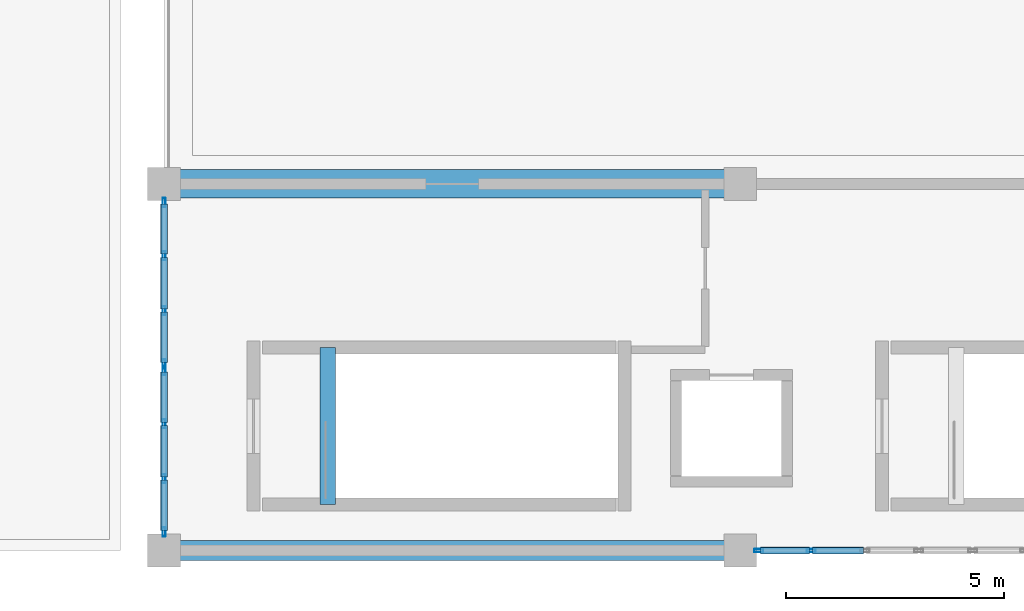
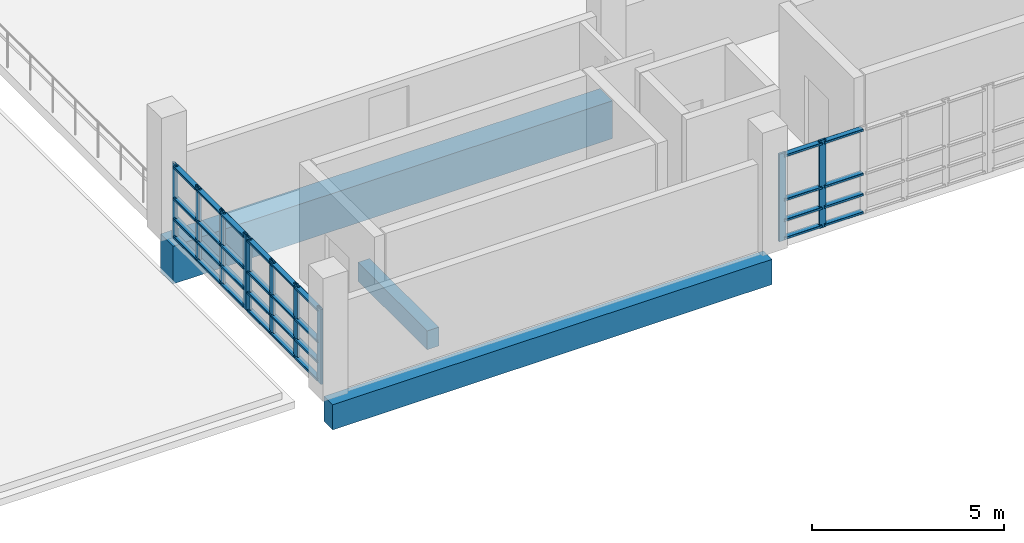
# One storey, part 117 of 188: 42 members, 3 beams, 3 elements without a shape of their own.
"""IFC4 building model written with IfcOpenShell, lengths in metres."""

import ifcopenshell
import ifcopenshell.guid

model = None  # the IFC model being written
_history = None  # IfcOwnerHistory: only IFC2X3 demands one
_inside = {}  # id of a spatial element -> (the spatial element, [elements in it])
_under = {}  # id of a project, library or spatial element -> (it, [spatial elements below it])
_declared = {}  # id of a project -> (the project, [libraries it declares])
_typed = {}  # id of a type object -> (the type object, [elements of that type])
_made_of = {}  # id of a material, layer set ... -> (it, [elements and type objects made of it])


def new_model(schema):
    """Start an empty IFC model of exactly this schema.

    Asked for "IFC4X3", IfcOpenShell would pick the latest addendum, in which some entities
    have other attributes; the version numbers below select the first issue.
    IFC2X3 requires an IfcOwnerHistory on every rooted entity: one is made here for all.
    """
    global model, _history
    if schema == "IFC4X3":
        model = ifcopenshell.file(schema_version=(4, 3, 0, 0))
    else:
        model = ifcopenshell.file(schema=schema)
    _inside.clear()
    _under.clear()
    _declared.clear()
    _typed.clear()
    _made_of.clear()
    _history = None
    if model.schema == "IFC2X3":
        org = make("IfcOrganization", Name="unknown")
        user = make(
            "IfcPersonAndOrganization",
            ThePerson=make("IfcPerson", FamilyName="unknown"),
            TheOrganization=org,
        )
        app = make(
            "IfcApplication",
            ApplicationDeveloper=org,
            Version="unknown",
            ApplicationFullName="unknown",
            ApplicationIdentifier="unknown",
        )
        _history = make(
            "IfcOwnerHistory",
            OwningUser=user,
            OwningApplication=app,
            ChangeAction="ADDED",
            CreationDate=0,
        )
    return model


def make(cls, **values):
    """One entity of the class cls with the attributes given. An attribute that is None is left unset."""
    return model.create_entity(
        cls, **{name: value for name, value in values.items() if value is not None}
    )


def rooted(cls, **values):
    """An entity with a GlobalId (a new one), such as an element, a storey or a relation."""
    return make(cls, GlobalId=ifcopenshell.guid.new(), OwnerHistory=_history, **values)


def si_unit(unit_type, name, prefix=None):
    """IfcSIUnit, for example si_unit("LENGTHUNIT", "METRE", prefix="MILLI")."""
    return make("IfcSIUnit", UnitType=unit_type, Prefix=prefix, Name=name)


def assignment(units):
    """IfcUnitAssignment: the units of a project."""
    return None if units is None else make("IfcUnitAssignment", Units=units)


def point(xyz):
    """IfcCartesianPoint."""
    return None if xyz is None else make("IfcCartesianPoint", Coordinates=xyz)


def direction(xyz):
    """IfcDirection."""
    return None if xyz is None else make("IfcDirection", DirectionRatios=xyz)


def frame(location, z_axis=None, x_axis=None):
    """IfcAxis2Placement3D, a coordinate frame: its origin and axes. An axis left out is left unset."""
    return make(
        "IfcAxis2Placement3D",
        Location=point(location),
        Axis=direction(z_axis),
        RefDirection=direction(x_axis),
    )


def frame_2d(location, x_axis=None):
    """IfcAxis2Placement2D, a coordinate frame in the plane: its origin and x axis."""
    return make(
        "IfcAxis2Placement2D", Location=point(location), RefDirection=direction(x_axis)
    )


def origin():
    """The frame at (0, 0, 0) with its axes left unset."""
    return frame((0.0, 0.0, 0.0))


def origin_2d():
    """The frame at (0, 0) in the plane with its x axis left unset."""
    return frame_2d((0.0, 0.0))


def place(relative_to, where):
    """IfcLocalPlacement: puts the frame where relative to a parent placement (None: the world)."""
    return make(
        "IfcLocalPlacement", PlacementRelTo=relative_to, RelativePlacement=where
    )


def context(
    kind, dimensions, precision=None, world=None, true_north=None, identifier=None
):
    """IfcGeometricRepresentationContext, for example the 3D "Model" context."""
    return make(
        "IfcGeometricRepresentationContext",
        ContextIdentifier=identifier,
        ContextType=kind,
        CoordinateSpaceDimension=dimensions,
        Precision=precision,
        WorldCoordinateSystem=world,
        TrueNorth=true_north,
    )


def subcontext(parent, identifier, kind, view, scale=None):
    """IfcGeometricRepresentationSubContext, for example "Body" below "Model"."""
    return make(
        "IfcGeometricRepresentationSubContext",
        ContextIdentifier=identifier,
        ContextType=kind,
        ParentContext=parent,
        TargetScale=scale,
        TargetView=view,
    )


def project(units=None, contexts=None):
    """IfcProject with its units and contexts."""
    return rooted(
        "IfcProject",
        Name="project",
        RepresentationContexts=contexts,
        UnitsInContext=assignment(units),
    )


def spatial(cls, under=None, at=None, **own):
    """A site, building, storey or space (cls), placed at a placement, below another one or the project."""
    s = rooted(cls, ObjectPlacement=at, **own)
    if under is not None:
        _under.setdefault(under.id(), (under, []))[1].append(s)
    return s


def profile(cls, at=None, kind="AREA", **sizes):
    """A parametric profile (cls). Its sizes go by their IFC names, for example OverallWidth=200.0."""
    return make(cls, ProfileType=kind, Position=at, **sizes)


def rectangle(**sizes):
    """IfcRectangleProfileDef."""
    return profile("IfcRectangleProfileDef", **sizes)


def hollow_rectangle(**sizes):
    """IfcRectangleHollowProfileDef."""
    return profile("IfcRectangleHollowProfileDef", **sizes)


def extrude(swept, where, along, depth):
    """IfcExtrudedAreaSolid: the profile swept, set in the frame where, extruded along a direction by depth."""
    return make(
        "IfcExtrudedAreaSolid",
        SweptArea=swept,
        Position=where,
        ExtrudedDirection=direction(along),
        Depth=depth,
    )


def shape(context_of_items, identifier, shape_type, items):
    """IfcShapeRepresentation: the items that make up one representation, for example the "Body"."""
    return make(
        "IfcShapeRepresentation",
        ContextOfItems=context_of_items,
        RepresentationIdentifier=identifier,
        RepresentationType=shape_type,
        Items=items,
    )


def material(Name=None, Category=None):
    """IfcMaterial."""
    return make("IfcMaterial", Name=Name, Category=Category)


def layer(
    of_material, thickness, ventilated=None, Name=None, Category=None, Priority=None
):
    """IfcMaterialLayer: one layer of a wall or slab, of a material (None: an air gap)."""
    return make(
        "IfcMaterialLayer",
        Material=of_material,
        LayerThickness=thickness,
        IsVentilated=ventilated,
        Name=Name,
        Category=Category,
        Priority=Priority,
    )


def layer_set(layers, Name=None):
    """IfcMaterialLayerSet."""
    return make("IfcMaterialLayerSet", MaterialLayers=layers, LayerSetName=Name)


def material_profile(
    of_material, cross_section, Name=None, Category=None, Priority=None
):
    """IfcMaterialProfile: a cross section and its material."""
    return make(
        "IfcMaterialProfile",
        Name=Name,
        Material=of_material,
        Profile=cross_section,
        Priority=Priority,
        Category=Category,
    )


def profile_set(profiles, Name=None, composite=None):
    """IfcMaterialProfileSet."""
    return make(
        "IfcMaterialProfileSet",
        Name=Name,
        MaterialProfiles=profiles,
        CompositeProfile=composite,
    )


def made_of(thing, what):
    """Note that an element or type object is made of a material, layer set ...; save() writes the relation."""
    if what is not None:
        _made_of.setdefault(what.id(), (what, []))[1].append(thing)
    return thing


def type_object(cls, material=None, **own):
    """A type object (cls), such as IfcWallType, which elements share."""
    return made_of(rooted(cls, **own), material)


def element(
    cls,
    number,
    at=None,
    inside=None,
    cuts=None,
    type_object=None,
    material=None,
    context=None,
    identifier="Body",
    shape_type=None,
    held_by="IfcProductDefinitionShape",
    body=None,
    shapes=None,
    **own,
):
    """One element of the class cls, such as IfcWall. Its Tag is "e" and its number.

    at: its placement. inside: the storey or other place that contains it. cuts: it is an
    opening in that element (IfcRelVoidsElement). A single representation is given by context,
    identifier, shape_type and body (its items); several are given by shapes. held_by: the class
    of the entity that holds the representations. save() writes the other relations.
    """
    e = rooted(cls, Tag="e%d" % number, ObjectPlacement=at, **own)
    if body is not None:
        shapes = [shape(context, identifier, shape_type, body)]
    if shapes is not None:
        e.Representation = make(held_by, Representations=shapes)
    if inside is not None:
        _inside.setdefault(inside.id(), (inside, []))[1].append(e)
    if cuts is not None:
        rooted(
            "IfcRelVoidsElement", RelatingBuildingElement=cuts, RelatedOpeningElement=e
        )
    if type_object is not None:
        _typed.setdefault(type_object.id(), (type_object, []))[1].append(e)
    return made_of(e, material)


def aggregate(whole, parts):
    """IfcRelAggregates: a whole, such as a stair, and the parts it consists of."""
    return rooted("IfcRelAggregates", RelatingObject=whole, RelatedObjects=parts)


def save(model, path):
    """Write the relations noted so far, then the file.

    IfcRelAggregates (storeys below a building ...), IfcRelContainedInSpatialStructure (elements
    in a storey), IfcRelDefinesByType, IfcRelAssociatesMaterial and IfcRelDeclares: one each for
    every whole, place, type object, material and project.
    """
    for whole, parts in _under.values():
        aggregate(whole, parts)
    for where, things in _inside.values():
        rooted(
            "IfcRelContainedInSpatialStructure",
            RelatedElements=things,
            RelatingStructure=where,
        )
    for kind, things in _typed.values():
        rooted("IfcRelDefinesByType", RelatedObjects=things, RelatingType=kind)
    for what, things in _made_of.values():
        rooted("IfcRelAssociatesMaterial", RelatedObjects=things, RelatingMaterial=what)
    for by, libraries in _declared.values():
        rooted("IfcRelDeclares", RelatingContext=by, RelatedDefinitions=libraries)
    model.write(path)


model = new_model("IFC4")

# Units and contexts
model_context = context("Model", 3, precision=1e-05, world=origin(), true_north=direction((0.0, 1.0)))
body_context = subcontext(model_context, "Body", "Model", "MODEL_VIEW")
ifc_project = project(units=[si_unit("LENGTHUNIT", "METRE"), si_unit("AREAUNIT", "SQUARE_METRE"), si_unit("VOLUMEUNIT", "CUBIC_METRE"), si_unit("PLANEANGLEUNIT", "RADIAN"), si_unit("MASSUNIT", "GRAM", prefix="KILO")], contexts=[model_context])

# Site, building, storey
site_placement = place(None, origin())
site = spatial("IfcSite", under=ifc_project, at=site_placement, CompositionType="ELEMENT")
building_placement = place(site_placement, origin())
building = spatial("IfcBuilding", under=site, at=building_placement, Name="Kisaragi Civic Commons", CompositionType="ELEMENT")
storey_placement = place(building_placement, frame((0.0, 0.0, 9.60009765625)))
storey = spatial("IfcBuildingStorey", under=building, at=storey_placement, Name="L02", CompositionType="ELEMENT", Elevation=9.60009765625)

# Curtain wall, members
ifc_material_1 = material(Name="Thermally broken anodized aluminium and low-E double glazing", Category="aluminium")
ifc_layer = layer(ifc_material_1, 0.2099609375, Name="Thermally broken anodized aluminium and low-E double glazing", Category="aluminium")
ifc_layer_set = layer_set([ifc_layer], Name="Thermally broken anodized aluminium and low-E double glazing")
curtain_wall_type = type_object("IfcCurtainWallType", Name="CW-02", PredefinedType="NOTDEFINED", material=ifc_layer_set)
curtain_wall_1_placement = place(storey_placement, origin())
curtain_wall_1 = element("IfcCurtainWall", 1, at=curtain_wall_1_placement, inside=storey, type_object=curtain_wall_type, Name="L02 curtain wall CW-02 CW-V3-L02-042", PredefinedType="NOTDEFINED")
ifc_material_profile_1 = material_profile(ifc_material_1, hollow_rectangle(XDim=0.070068359375, YDim=0.2099609375, WallThickness=0.0048828125, InnerFilletRadius=0.0048828125, OuterFilletRadius=0.010009765625, at=origin_2d()), Name="CWM-70x210x5", Category="aluminium")
ifc_profile_set_1 = profile_set([ifc_material_profile_1], Name="Thermally broken anodized aluminium and low-E double glazing")
member_type_1 = type_object("IfcMemberType", Name="CWM-03", PredefinedType="MULLION", material=ifc_profile_set_1)
member_1_placement = place(storey_placement, frame((161.22412109375, 0.0, 0.0), z_axis=(0.0, 0.0, 1.0), x_axis=(0.0, -1.0, 0.0)))
member_1 = element("IfcMember", 2, at=member_1_placement, type_object=member_type_1, Name="CW-02 mullion 5", PredefinedType="MULLION", context=body_context, shape_type="SweptSolid", body=[
    extrude(hollow_rectangle(XDim=0.070068359375, YDim=0.2099609375, WallThickness=0.0048828125, InnerFilletRadius=0.0048828125, OuterFilletRadius=0.010009765625, at=origin_2d()), origin(), (0.0, 0.0, 1.0), 2.77978515625),
])
member_2_placement = place(storey_placement, frame((160.02490234375, 0.0, 0.0), z_axis=(0.0, 0.0, 1.0), x_axis=(0.0, -1.0, 0.0)))
member_2 = element("IfcMember", 3, at=member_2_placement, type_object=member_type_1, Name="CW-02 mullion 6", PredefinedType="MULLION", context=body_context, shape_type="SweptSolid", body=[
    extrude(hollow_rectangle(XDim=0.070068359375, YDim=0.2099609375, WallThickness=0.0048828125, InnerFilletRadius=0.0048828125, OuterFilletRadius=0.010009765625, at=origin_2d()), origin(), (0.0, 0.0, 1.0), 2.77978515625),
])

curtain_wall_2_placement = place(storey_placement, origin())
curtain_wall_2 = element("IfcCurtainWall", 4, at=curtain_wall_2_placement, inside=storey, type_object=curtain_wall_type, Name="L02 curtain wall CW-02 CW-V3-L02-043", PredefinedType="NOTDEFINED")
member_3_placement = place(storey_placement, frame((146.39990234375, 0.425048828125, 0.0), z_axis=(0.0, 0.0, 1.0), x_axis=(-1.0, 0.0, 0.0)))
member_3 = element("IfcMember", 5, at=member_3_placement, type_object=member_type_1, Name="CW-02 mullion 1", PredefinedType="MULLION", context=body_context, shape_type="SweptSolid", body=[
    extrude(hollow_rectangle(XDim=0.070068359375, YDim=0.2099609375, WallThickness=0.0048828125, InnerFilletRadius=0.0048828125, OuterFilletRadius=0.010009765625, at=origin_2d()), origin(), (0.0, 0.0, 1.0), 2.3798828125),
])
member_4_placement = place(storey_placement, frame((146.39990234375, 1.646728515625, 0.0), z_axis=(0.0, 0.0, 1.0), x_axis=(-1.0, 0.0, 0.0)))
member_4 = element("IfcMember", 6, at=member_4_placement, type_object=member_type_1, Name="CW-02 mullion 2", PredefinedType="MULLION", context=body_context, shape_type="SweptSolid", body=[
    extrude(hollow_rectangle(XDim=0.070068359375, YDim=0.2099609375, WallThickness=0.0048828125, InnerFilletRadius=0.0048828125, OuterFilletRadius=0.010009765625, at=origin_2d()), origin(), (0.0, 0.0, 1.0), 2.3798828125),
])
member_5_placement = place(storey_placement, frame((146.39990234375, 2.9033203125, 0.0), z_axis=(0.0, 0.0, 1.0), x_axis=(-1.0, 0.0, 0.0)))
member_5 = element("IfcMember", 7, at=member_5_placement, type_object=member_type_1, Name="CW-02 mullion 3", PredefinedType="MULLION", context=body_context, shape_type="SweptSolid", body=[
    extrude(hollow_rectangle(XDim=0.070068359375, YDim=0.2099609375, WallThickness=0.0048828125, InnerFilletRadius=0.0048828125, OuterFilletRadius=0.010009765625, at=origin_2d()), origin(), (0.0, 0.0, 1.0), 2.3798828125),
])
member_6_placement = place(storey_placement, frame((146.39990234375, 4.125, 0.0), z_axis=(0.0, 0.0, 1.0), x_axis=(-1.0, 0.0, 0.0)))
member_6 = element("IfcMember", 8, at=member_6_placement, type_object=member_type_1, Name="CW-02 mullion 4", PredefinedType="MULLION", context=body_context, shape_type="SweptSolid", body=[
    extrude(hollow_rectangle(XDim=0.070068359375, YDim=0.2099609375, WallThickness=0.0048828125, InnerFilletRadius=0.0048828125, OuterFilletRadius=0.010009765625, at=origin_2d()), origin(), (0.0, 0.0, 1.0), 2.3798828125),
])

curtain_wall_3_placement = place(storey_placement, origin())
curtain_wall_3 = element("IfcCurtainWall", 9, at=curtain_wall_3_placement, inside=storey, type_object=curtain_wall_type, Name="L02 curtain wall CW-02 CW-V3-L02-044", PredefinedType="NOTDEFINED")
member_7_placement = place(storey_placement, frame((146.39990234375, 4.27490234375, 0.0), z_axis=(0.0, 0.0, 1.0), x_axis=(-1.0, 0.0, 0.0)))
member_7 = element("IfcMember", 10, at=member_7_placement, type_object=member_type_1, Name="CW-02 mullion 1", PredefinedType="MULLION", context=body_context, shape_type="SweptSolid", body=[
    extrude(hollow_rectangle(XDim=0.070068359375, YDim=0.2099609375, WallThickness=0.0048828125, InnerFilletRadius=0.0048828125, OuterFilletRadius=0.010009765625, at=origin_2d()), origin(), (0.0, 0.0, 1.0), 2.3798828125),
])
member_8_placement = place(storey_placement, frame((146.39990234375, 5.49658203125, 0.0), z_axis=(0.0, 0.0, 1.0), x_axis=(-1.0, 0.0, 0.0)))
member_8 = element("IfcMember", 11, at=member_8_placement, type_object=member_type_1, Name="CW-02 mullion 2", PredefinedType="MULLION", context=body_context, shape_type="SweptSolid", body=[
    extrude(hollow_rectangle(XDim=0.070068359375, YDim=0.2099609375, WallThickness=0.0048828125, InnerFilletRadius=0.0048828125, OuterFilletRadius=0.010009765625, at=origin_2d()), origin(), (0.0, 0.0, 1.0), 2.3798828125),
])
member_9_placement = place(storey_placement, frame((146.39990234375, 6.75341796875, 0.0), z_axis=(0.0, 0.0, 1.0), x_axis=(-1.0, 0.0, 0.0)))
member_9 = element("IfcMember", 12, at=member_9_placement, type_object=member_type_1, Name="CW-02 mullion 3", PredefinedType="MULLION", context=body_context, shape_type="SweptSolid", body=[
    extrude(hollow_rectangle(XDim=0.070068359375, YDim=0.2099609375, WallThickness=0.0048828125, InnerFilletRadius=0.0048828125, OuterFilletRadius=0.010009765625, at=origin_2d()), origin(), (0.0, 0.0, 1.0), 2.3798828125),
])
member_10_placement = place(storey_placement, frame((146.39990234375, 7.97509765625, 0.0), z_axis=(0.0, 0.0, 1.0), x_axis=(-1.0, 0.0, 0.0)))
member_10 = element("IfcMember", 13, at=member_10_placement, type_object=member_type_1, Name="CW-02 mullion 4", PredefinedType="MULLION", context=body_context, shape_type="SweptSolid", body=[
    extrude(hollow_rectangle(XDim=0.070068359375, YDim=0.2099609375, WallThickness=0.0048828125, InnerFilletRadius=0.0048828125, OuterFilletRadius=0.010009765625, at=origin_2d()), origin(), (0.0, 0.0, 1.0), 2.3798828125),
])

# Member
ifc_material_profile_2 = material_profile(ifc_material_1, hollow_rectangle(XDim=0.159912109375, YDim=0.070068359375, WallThickness=0.0048828125, InnerFilletRadius=0.0048828125, OuterFilletRadius=0.010009765625, at=origin_2d()), Name="CWT-70x160x5", Category="aluminium")
ifc_profile_set_2 = profile_set([ifc_material_profile_2], Name="Thermally broken anodized aluminium and low-E double glazing")
member_type_2 = type_object("IfcMemberType", Name="CWT-03", PredefinedType="USERDEFINED", material=ifc_profile_set_2)
member_11_placement = place(storey_placement, frame((162.423095703125, 0.0, 0.079833984375), z_axis=(-1.0, 0.0, 0.0), x_axis=(0.0, -1.0, 0.0)))
member_11 = element("IfcMember", 14, at=member_11_placement, type_object=member_type_2, Name="CW-02 transom 4.1", ObjectType="TRANSOM", PredefinedType="USERDEFINED", context=body_context, shape_type="SweptSolid", body=[
    extrude(hollow_rectangle(XDim=0.159912109375, YDim=0.070068359375, WallThickness=0.0048828125, InnerFilletRadius=0.0048828125, OuterFilletRadius=0.010009765625, at=origin_2d()), origin(), (0.0, 0.0, 1.0), 1.1640625),
])

member_12_placement = place(storey_placement, frame((162.423095703125, 0.0, 0.64990234375), z_axis=(-1.0, 0.0, 0.0), x_axis=(0.0, -1.0, 0.0)))
member_12 = element("IfcMember", 15, at=member_12_placement, type_object=member_type_2, Name="CW-02 transom 4.2", ObjectType="TRANSOM", PredefinedType="USERDEFINED", context=body_context, shape_type="SweptSolid", body=[
    extrude(hollow_rectangle(XDim=0.159912109375, YDim=0.070068359375, WallThickness=0.0048828125, InnerFilletRadius=0.0048828125, OuterFilletRadius=0.010009765625, at=origin_2d()), origin(), (0.0, 0.0, 1.0), 1.1640625),
])

member_13_placement = place(storey_placement, frame((162.423095703125, 0.0, 1.2998046875), z_axis=(-1.0, 0.0, 0.0), x_axis=(0.0, -1.0, 0.0)))
member_13 = element("IfcMember", 16, at=member_13_placement, type_object=member_type_2, Name="CW-02 transom 4.3", ObjectType="TRANSOM", PredefinedType="USERDEFINED", context=body_context, shape_type="SweptSolid", body=[
    extrude(hollow_rectangle(XDim=0.159912109375, YDim=0.070068359375, WallThickness=0.0048828125, InnerFilletRadius=0.0048828125, OuterFilletRadius=0.010009765625, at=origin_2d()), origin(), (0.0, 0.0, 1.0), 1.1640625),
])

member_14_placement = place(storey_placement, frame((162.423095703125, 0.0, 2.699951171875), z_axis=(-1.0, 0.0, 0.0), x_axis=(0.0, -1.0, 0.0)))
member_14 = element("IfcMember", 17, at=member_14_placement, type_object=member_type_2, Name="CW-02 transom 4.4", ObjectType="TRANSOM", PredefinedType="USERDEFINED", context=body_context, shape_type="SweptSolid", body=[
    extrude(hollow_rectangle(XDim=0.159912109375, YDim=0.070068359375, WallThickness=0.0048828125, InnerFilletRadius=0.0048828125, OuterFilletRadius=0.010009765625, at=origin_2d()), origin(), (0.0, 0.0, 1.0), 1.1640625),
])

member_15_placement = place(storey_placement, frame((161.18896484375, 0.0, 0.079833984375), z_axis=(-1.0, 0.0, 0.0), x_axis=(0.0, -1.0, 0.0)))
member_15 = element("IfcMember", 18, at=member_15_placement, type_object=member_type_2, Name="CW-02 transom 5.1", ObjectType="TRANSOM", PredefinedType="USERDEFINED", context=body_context, shape_type="SweptSolid", body=[
    extrude(hollow_rectangle(XDim=0.159912109375, YDim=0.070068359375, WallThickness=0.0048828125, InnerFilletRadius=0.0048828125, OuterFilletRadius=0.010009765625, at=origin_2d()), origin(), (0.0, 0.0, 1.0), 1.12890625),
])

member_16_placement = place(storey_placement, frame((161.18896484375, 0.0, 0.64990234375), z_axis=(-1.0, 0.0, 0.0), x_axis=(0.0, -1.0, 0.0)))
member_16 = element("IfcMember", 19, at=member_16_placement, type_object=member_type_2, Name="CW-02 transom 5.2", ObjectType="TRANSOM", PredefinedType="USERDEFINED", context=body_context, shape_type="SweptSolid", body=[
    extrude(hollow_rectangle(XDim=0.159912109375, YDim=0.070068359375, WallThickness=0.0048828125, InnerFilletRadius=0.0048828125, OuterFilletRadius=0.010009765625, at=origin_2d()), origin(), (0.0, 0.0, 1.0), 1.12890625),
])

member_17_placement = place(storey_placement, frame((161.18896484375, 0.0, 1.2998046875), z_axis=(-1.0, 0.0, 0.0), x_axis=(0.0, -1.0, 0.0)))
member_17 = element("IfcMember", 20, at=member_17_placement, type_object=member_type_2, Name="CW-02 transom 5.3", ObjectType="TRANSOM", PredefinedType="USERDEFINED", context=body_context, shape_type="SweptSolid", body=[
    extrude(hollow_rectangle(XDim=0.159912109375, YDim=0.070068359375, WallThickness=0.0048828125, InnerFilletRadius=0.0048828125, OuterFilletRadius=0.010009765625, at=origin_2d()), origin(), (0.0, 0.0, 1.0), 1.12890625),
])

member_18_placement = place(storey_placement, frame((161.18896484375, 0.0, 2.699951171875), z_axis=(-1.0, 0.0, 0.0), x_axis=(0.0, -1.0, 0.0)))
member_18 = element("IfcMember", 21, at=member_18_placement, type_object=member_type_2, Name="CW-02 transom 5.4", ObjectType="TRANSOM", PredefinedType="USERDEFINED", context=body_context, shape_type="SweptSolid", body=[
    extrude(hollow_rectangle(XDim=0.159912109375, YDim=0.070068359375, WallThickness=0.0048828125, InnerFilletRadius=0.0048828125, OuterFilletRadius=0.010009765625, at=origin_2d()), origin(), (0.0, 0.0, 1.0), 1.12890625),
])

aggregate(curtain_wall_1, [member_1, member_2, member_11, member_12, member_13, member_14, member_15, member_16, member_17, member_18])

member_19_placement = place(storey_placement, frame((146.39990234375, 0.4599609375, 0.079833984375), z_axis=(0.0, 1.0, 0.0), x_axis=(-1.0, 0.0, 0.0)))
member_19 = element("IfcMember", 22, at=member_19_placement, type_object=member_type_2, Name="CW-02 transom 1.1", ObjectType="TRANSOM", PredefinedType="USERDEFINED", context=body_context, shape_type="SweptSolid", body=[
    extrude(hollow_rectangle(XDim=0.159912109375, YDim=0.070068359375, WallThickness=0.0048828125, InnerFilletRadius=0.0048828125, OuterFilletRadius=0.010009765625, at=origin_2d()), origin(), (0.0, 0.0, 1.0), 1.151611328125),
])

member_20_placement = place(storey_placement, frame((146.39990234375, 0.4599609375, 0.64990234375), z_axis=(0.0, 1.0, 0.0), x_axis=(-1.0, 0.0, 0.0)))
member_20 = element("IfcMember", 23, at=member_20_placement, type_object=member_type_2, Name="CW-02 transom 1.2", ObjectType="TRANSOM", PredefinedType="USERDEFINED", context=body_context, shape_type="SweptSolid", body=[
    extrude(hollow_rectangle(XDim=0.159912109375, YDim=0.070068359375, WallThickness=0.0048828125, InnerFilletRadius=0.0048828125, OuterFilletRadius=0.010009765625, at=origin_2d()), origin(), (0.0, 0.0, 1.0), 1.151611328125),
])

member_21_placement = place(storey_placement, frame((146.39990234375, 0.4599609375, 1.2998046875), z_axis=(0.0, 1.0, 0.0), x_axis=(-1.0, 0.0, 0.0)))
member_21 = element("IfcMember", 24, at=member_21_placement, type_object=member_type_2, Name="CW-02 transom 1.3", ObjectType="TRANSOM", PredefinedType="USERDEFINED", context=body_context, shape_type="SweptSolid", body=[
    extrude(hollow_rectangle(XDim=0.159912109375, YDim=0.070068359375, WallThickness=0.0048828125, InnerFilletRadius=0.0048828125, OuterFilletRadius=0.010009765625, at=origin_2d()), origin(), (0.0, 0.0, 1.0), 1.151611328125),
])

member_22_placement = place(storey_placement, frame((146.39990234375, 0.4599609375, 2.2998046875), z_axis=(0.0, 1.0, 0.0), x_axis=(-1.0, 0.0, 0.0)))
member_22 = element("IfcMember", 25, at=member_22_placement, type_object=member_type_2, Name="CW-02 transom 1.4", ObjectType="TRANSOM", PredefinedType="USERDEFINED", context=body_context, shape_type="SweptSolid", body=[
    extrude(hollow_rectangle(XDim=0.159912109375, YDim=0.070068359375, WallThickness=0.0048828125, InnerFilletRadius=0.0048828125, OuterFilletRadius=0.010009765625, at=origin_2d()), origin(), (0.0, 0.0, 1.0), 1.151611328125),
])

member_23_placement = place(storey_placement, frame((146.39990234375, 1.681640625, 0.079833984375), z_axis=(0.0, 1.0, 0.0), x_axis=(-1.0, 0.0, 0.0)))
member_23 = element("IfcMember", 26, at=member_23_placement, type_object=member_type_2, Name="CW-02 transom 2.1", ObjectType="TRANSOM", PredefinedType="USERDEFINED", context=body_context, shape_type="SweptSolid", body=[
    extrude(hollow_rectangle(XDim=0.159912109375, YDim=0.070068359375, WallThickness=0.0048828125, InnerFilletRadius=0.0048828125, OuterFilletRadius=0.010009765625, at=origin_2d()), origin(), (0.0, 0.0, 1.0), 1.186767578125),
])

member_24_placement = place(storey_placement, frame((146.39990234375, 1.681640625, 0.64990234375), z_axis=(0.0, 1.0, 0.0), x_axis=(-1.0, 0.0, 0.0)))
member_24 = element("IfcMember", 27, at=member_24_placement, type_object=member_type_2, Name="CW-02 transom 2.2", ObjectType="TRANSOM", PredefinedType="USERDEFINED", context=body_context, shape_type="SweptSolid", body=[
    extrude(hollow_rectangle(XDim=0.159912109375, YDim=0.070068359375, WallThickness=0.0048828125, InnerFilletRadius=0.0048828125, OuterFilletRadius=0.010009765625, at=origin_2d()), origin(), (0.0, 0.0, 1.0), 1.186767578125),
])

member_25_placement = place(storey_placement, frame((146.39990234375, 1.681640625, 1.2998046875), z_axis=(0.0, 1.0, 0.0), x_axis=(-1.0, 0.0, 0.0)))
member_25 = element("IfcMember", 28, at=member_25_placement, type_object=member_type_2, Name="CW-02 transom 2.3", ObjectType="TRANSOM", PredefinedType="USERDEFINED", context=body_context, shape_type="SweptSolid", body=[
    extrude(hollow_rectangle(XDim=0.159912109375, YDim=0.070068359375, WallThickness=0.0048828125, InnerFilletRadius=0.0048828125, OuterFilletRadius=0.010009765625, at=origin_2d()), origin(), (0.0, 0.0, 1.0), 1.186767578125),
])

member_26_placement = place(storey_placement, frame((146.39990234375, 1.681640625, 2.2998046875), z_axis=(0.0, 1.0, 0.0), x_axis=(-1.0, 0.0, 0.0)))
member_26 = element("IfcMember", 29, at=member_26_placement, type_object=member_type_2, Name="CW-02 transom 2.4", ObjectType="TRANSOM", PredefinedType="USERDEFINED", context=body_context, shape_type="SweptSolid", body=[
    extrude(hollow_rectangle(XDim=0.159912109375, YDim=0.070068359375, WallThickness=0.0048828125, InnerFilletRadius=0.0048828125, OuterFilletRadius=0.010009765625, at=origin_2d()), origin(), (0.0, 0.0, 1.0), 1.186767578125),
])

member_27_placement = place(storey_placement, frame((146.39990234375, 2.938232421875, 0.079833984375), z_axis=(0.0, 1.0, 0.0), x_axis=(-1.0, 0.0, 0.0)))
member_27 = element("IfcMember", 30, at=member_27_placement, type_object=member_type_2, Name="CW-02 transom 3.1", ObjectType="TRANSOM", PredefinedType="USERDEFINED", context=body_context, shape_type="SweptSolid", body=[
    extrude(hollow_rectangle(XDim=0.159912109375, YDim=0.070068359375, WallThickness=0.0048828125, InnerFilletRadius=0.0048828125, OuterFilletRadius=0.010009765625, at=origin_2d()), origin(), (0.0, 0.0, 1.0), 1.15185546875),
])

member_28_placement = place(storey_placement, frame((146.39990234375, 2.938232421875, 0.64990234375), z_axis=(0.0, 1.0, 0.0), x_axis=(-1.0, 0.0, 0.0)))
member_28 = element("IfcMember", 31, at=member_28_placement, type_object=member_type_2, Name="CW-02 transom 3.2", ObjectType="TRANSOM", PredefinedType="USERDEFINED", context=body_context, shape_type="SweptSolid", body=[
    extrude(hollow_rectangle(XDim=0.159912109375, YDim=0.070068359375, WallThickness=0.0048828125, InnerFilletRadius=0.0048828125, OuterFilletRadius=0.010009765625, at=origin_2d()), origin(), (0.0, 0.0, 1.0), 1.15185546875),
])

member_29_placement = place(storey_placement, frame((146.39990234375, 2.938232421875, 1.2998046875), z_axis=(0.0, 1.0, 0.0), x_axis=(-1.0, 0.0, 0.0)))
member_29 = element("IfcMember", 32, at=member_29_placement, type_object=member_type_2, Name="CW-02 transom 3.3", ObjectType="TRANSOM", PredefinedType="USERDEFINED", context=body_context, shape_type="SweptSolid", body=[
    extrude(hollow_rectangle(XDim=0.159912109375, YDim=0.070068359375, WallThickness=0.0048828125, InnerFilletRadius=0.0048828125, OuterFilletRadius=0.010009765625, at=origin_2d()), origin(), (0.0, 0.0, 1.0), 1.15185546875),
])

member_30_placement = place(storey_placement, frame((146.39990234375, 2.938232421875, 2.2998046875), z_axis=(0.0, 1.0, 0.0), x_axis=(-1.0, 0.0, 0.0)))
member_30 = element("IfcMember", 33, at=member_30_placement, type_object=member_type_2, Name="CW-02 transom 3.4", ObjectType="TRANSOM", PredefinedType="USERDEFINED", context=body_context, shape_type="SweptSolid", body=[
    extrude(hollow_rectangle(XDim=0.159912109375, YDim=0.070068359375, WallThickness=0.0048828125, InnerFilletRadius=0.0048828125, OuterFilletRadius=0.010009765625, at=origin_2d()), origin(), (0.0, 0.0, 1.0), 1.15185546875),
])

aggregate(curtain_wall_2, [member_3, member_4, member_5, member_6, member_19, member_20, member_21, member_22, member_23, member_24, member_25, member_26, member_27, member_28, member_29, member_30])

member_31_placement = place(storey_placement, frame((146.39990234375, 4.31005859375, 0.079833984375), z_axis=(0.0, 1.0, 0.0), x_axis=(-1.0, 0.0, 0.0)))
member_31 = element("IfcMember", 34, at=member_31_placement, type_object=member_type_2, Name="CW-02 transom 1.1", ObjectType="TRANSOM", PredefinedType="USERDEFINED", context=body_context, shape_type="SweptSolid", body=[
    extrude(hollow_rectangle(XDim=0.159912109375, YDim=0.070068359375, WallThickness=0.0048828125, InnerFilletRadius=0.0048828125, OuterFilletRadius=0.010009765625, at=origin_2d()), origin(), (0.0, 0.0, 1.0), 1.151611328125),
])

member_32_placement = place(storey_placement, frame((146.39990234375, 4.31005859375, 0.64990234375), z_axis=(0.0, 1.0, 0.0), x_axis=(-1.0, 0.0, 0.0)))
member_32 = element("IfcMember", 35, at=member_32_placement, type_object=member_type_2, Name="CW-02 transom 1.2", ObjectType="TRANSOM", PredefinedType="USERDEFINED", context=body_context, shape_type="SweptSolid", body=[
    extrude(hollow_rectangle(XDim=0.159912109375, YDim=0.070068359375, WallThickness=0.0048828125, InnerFilletRadius=0.0048828125, OuterFilletRadius=0.010009765625, at=origin_2d()), origin(), (0.0, 0.0, 1.0), 1.151611328125),
])

member_33_placement = place(storey_placement, frame((146.39990234375, 4.31005859375, 1.2998046875), z_axis=(0.0, 1.0, 0.0), x_axis=(-1.0, 0.0, 0.0)))
member_33 = element("IfcMember", 36, at=member_33_placement, type_object=member_type_2, Name="CW-02 transom 1.3", ObjectType="TRANSOM", PredefinedType="USERDEFINED", context=body_context, shape_type="SweptSolid", body=[
    extrude(hollow_rectangle(XDim=0.159912109375, YDim=0.070068359375, WallThickness=0.0048828125, InnerFilletRadius=0.0048828125, OuterFilletRadius=0.010009765625, at=origin_2d()), origin(), (0.0, 0.0, 1.0), 1.151611328125),
])

member_34_placement = place(storey_placement, frame((146.39990234375, 4.31005859375, 2.2998046875), z_axis=(0.0, 1.0, 0.0), x_axis=(-1.0, 0.0, 0.0)))
member_34 = element("IfcMember", 37, at=member_34_placement, type_object=member_type_2, Name="CW-02 transom 1.4", ObjectType="TRANSOM", PredefinedType="USERDEFINED", context=body_context, shape_type="SweptSolid", body=[
    extrude(hollow_rectangle(XDim=0.159912109375, YDim=0.070068359375, WallThickness=0.0048828125, InnerFilletRadius=0.0048828125, OuterFilletRadius=0.010009765625, at=origin_2d()), origin(), (0.0, 0.0, 1.0), 1.151611328125),
])

member_35_placement = place(storey_placement, frame((146.39990234375, 5.53173828125, 0.079833984375), z_axis=(0.0, 1.0, 0.0), x_axis=(-1.0, 0.0, 0.0)))
member_35 = element("IfcMember", 38, at=member_35_placement, type_object=member_type_2, Name="CW-02 transom 2.1", ObjectType="TRANSOM", PredefinedType="USERDEFINED", context=body_context, shape_type="SweptSolid", body=[
    extrude(hollow_rectangle(XDim=0.159912109375, YDim=0.070068359375, WallThickness=0.0048828125, InnerFilletRadius=0.0048828125, OuterFilletRadius=0.010009765625, at=origin_2d()), origin(), (0.0, 0.0, 1.0), 1.1865234375),
])

member_36_placement = place(storey_placement, frame((146.39990234375, 5.53173828125, 0.64990234375), z_axis=(0.0, 1.0, 0.0), x_axis=(-1.0, 0.0, 0.0)))
member_36 = element("IfcMember", 39, at=member_36_placement, type_object=member_type_2, Name="CW-02 transom 2.2", ObjectType="TRANSOM", PredefinedType="USERDEFINED", context=body_context, shape_type="SweptSolid", body=[
    extrude(hollow_rectangle(XDim=0.159912109375, YDim=0.070068359375, WallThickness=0.0048828125, InnerFilletRadius=0.0048828125, OuterFilletRadius=0.010009765625, at=origin_2d()), origin(), (0.0, 0.0, 1.0), 1.1865234375),
])

member_37_placement = place(storey_placement, frame((146.39990234375, 5.53173828125, 1.2998046875), z_axis=(0.0, 1.0, 0.0), x_axis=(-1.0, 0.0, 0.0)))
member_37 = element("IfcMember", 40, at=member_37_placement, type_object=member_type_2, Name="CW-02 transom 2.3", ObjectType="TRANSOM", PredefinedType="USERDEFINED", context=body_context, shape_type="SweptSolid", body=[
    extrude(hollow_rectangle(XDim=0.159912109375, YDim=0.070068359375, WallThickness=0.0048828125, InnerFilletRadius=0.0048828125, OuterFilletRadius=0.010009765625, at=origin_2d()), origin(), (0.0, 0.0, 1.0), 1.1865234375),
])

member_38_placement = place(storey_placement, frame((146.39990234375, 5.53173828125, 2.2998046875), z_axis=(0.0, 1.0, 0.0), x_axis=(-1.0, 0.0, 0.0)))
member_38 = element("IfcMember", 41, at=member_38_placement, type_object=member_type_2, Name="CW-02 transom 2.4", ObjectType="TRANSOM", PredefinedType="USERDEFINED", context=body_context, shape_type="SweptSolid", body=[
    extrude(hollow_rectangle(XDim=0.159912109375, YDim=0.070068359375, WallThickness=0.0048828125, InnerFilletRadius=0.0048828125, OuterFilletRadius=0.010009765625, at=origin_2d()), origin(), (0.0, 0.0, 1.0), 1.1865234375),
])

member_39_placement = place(storey_placement, frame((146.39990234375, 6.788330078125, 0.079833984375), z_axis=(0.0, 1.0, 0.0), x_axis=(-1.0, 0.0, 0.0)))
member_39 = element("IfcMember", 42, at=member_39_placement, type_object=member_type_2, Name="CW-02 transom 3.1", ObjectType="TRANSOM", PredefinedType="USERDEFINED", context=body_context, shape_type="SweptSolid", body=[
    extrude(hollow_rectangle(XDim=0.159912109375, YDim=0.070068359375, WallThickness=0.0048828125, InnerFilletRadius=0.0048828125, OuterFilletRadius=0.010009765625, at=origin_2d()), origin(), (0.0, 0.0, 1.0), 1.151611328125),
])

member_40_placement = place(storey_placement, frame((146.39990234375, 6.788330078125, 0.64990234375), z_axis=(0.0, 1.0, 0.0), x_axis=(-1.0, 0.0, 0.0)))
member_40 = element("IfcMember", 43, at=member_40_placement, type_object=member_type_2, Name="CW-02 transom 3.2", ObjectType="TRANSOM", PredefinedType="USERDEFINED", context=body_context, shape_type="SweptSolid", body=[
    extrude(hollow_rectangle(XDim=0.159912109375, YDim=0.070068359375, WallThickness=0.0048828125, InnerFilletRadius=0.0048828125, OuterFilletRadius=0.010009765625, at=origin_2d()), origin(), (0.0, 0.0, 1.0), 1.151611328125),
])

member_41_placement = place(storey_placement, frame((146.39990234375, 6.788330078125, 1.2998046875), z_axis=(0.0, 1.0, 0.0), x_axis=(-1.0, 0.0, 0.0)))
member_41 = element("IfcMember", 44, at=member_41_placement, type_object=member_type_2, Name="CW-02 transom 3.3", ObjectType="TRANSOM", PredefinedType="USERDEFINED", context=body_context, shape_type="SweptSolid", body=[
    extrude(hollow_rectangle(XDim=0.159912109375, YDim=0.070068359375, WallThickness=0.0048828125, InnerFilletRadius=0.0048828125, OuterFilletRadius=0.010009765625, at=origin_2d()), origin(), (0.0, 0.0, 1.0), 1.151611328125),
])

member_42_placement = place(storey_placement, frame((146.39990234375, 6.788330078125, 2.2998046875), z_axis=(0.0, 1.0, 0.0), x_axis=(-1.0, 0.0, 0.0)))
member_42 = element("IfcMember", 45, at=member_42_placement, type_object=member_type_2, Name="CW-02 transom 3.4", ObjectType="TRANSOM", PredefinedType="USERDEFINED", context=body_context, shape_type="SweptSolid", body=[
    extrude(hollow_rectangle(XDim=0.159912109375, YDim=0.070068359375, WallThickness=0.0048828125, InnerFilletRadius=0.0048828125, OuterFilletRadius=0.010009765625, at=origin_2d()), origin(), (0.0, 0.0, 1.0), 1.151611328125),
])

aggregate(curtain_wall_3, [member_7, member_8, member_9, member_10, member_31, member_32, member_33, member_34, member_35, member_36, member_37, member_38, member_39, member_40, member_41, member_42])

# Beams
ifc_material_2 = material(Name="Concrete Fc36", Category="concrete")
ifc_material_profile_3 = material_profile(ifc_material_2, rectangle(XDim=0.64990234375, YDim=1.199951171875, at=origin_2d()), Name="RC-650x1200", Category="concrete")
ifc_profile_set_3 = profile_set([ifc_material_profile_3], Name="Concrete Fc36")
beam_type_1 = type_object("IfcBeamType", Name="G-07", PredefinedType="BEAM", material=ifc_profile_set_3)
beam_1_placement = place(storey_placement, frame((146.39990234375, 8.39990234375, -0.920166015625), z_axis=(1.0, 0.0, 0.0), x_axis=(0.0, 1.0, 0.0)))
element("IfcBeam", 46, at=beam_1_placement, inside=storey, type_object=beam_type_1, Name="L02 girder G-07 291", PredefinedType="BEAM", context=body_context, shape_type="SweptSolid", body=[
    extrude(rectangle(XDim=0.64990234375, YDim=1.199951171875, at=origin_2d()), origin(), (0.0, 0.0, 1.0), 13.2001953125),
])
ifc_material_3 = material(Name="Concrete Fc30", Category="concrete")
ifc_material_profile_4 = material_profile(ifc_material_3, rectangle(XDim=0.35009765625, YDim=0.60009765625, at=origin_2d()), Name="RC-350x600", Category="concrete")
ifc_profile_set_4 = profile_set([ifc_material_profile_4], Name="Concrete Fc30")
beam_type_2 = type_object("IfcBeamType", Name="G-14", PredefinedType="BEAM", material=ifc_profile_set_4)
beam_2_placement = place(storey_placement, frame((150.14990234375, 1.050048828125, -0.300048828125), z_axis=(0.0, 1.0, 0.0), x_axis=(-1.0, 0.0, 0.0)))
element("IfcBeam", 47, at=beam_2_placement, inside=storey, type_object=beam_type_2, Name="ST-D1 L02 stair landing trimmer beam", PredefinedType="BEAM", context=body_context, shape_type="SweptSolid", body=[
    extrude(rectangle(XDim=0.35009765625, YDim=0.60009765625, at=origin_2d()), origin(), (0.0, 0.0, 1.0), 3.599853515625),
])
ifc_material_profile_5 = material_profile(ifc_material_3, rectangle(XDim=0.449951171875, YDim=0.800048828125, at=origin_2d()), Name="RC-450x800", Category="concrete")
ifc_profile_set_5 = profile_set([ifc_material_profile_5], Name="Concrete Fc30")
beam_type_3 = type_object("IfcBeamType", Name="SPB-01", PredefinedType="SPANDREL", material=ifc_profile_set_5)
beam_3_placement = place(storey_placement, frame((146.39990234375, 0.0, -0.72021484375), z_axis=(1.0, 0.0, 0.0), x_axis=(0.0, 1.0, 0.0)))
element("IfcBeam", 48, at=beam_3_placement, inside=storey, type_object=beam_type_3, Name="L02 girder SPB-01 290", PredefinedType="SPANDREL", context=body_context, shape_type="SweptSolid", body=[
    extrude(rectangle(XDim=0.449951171875, YDim=0.800048828125, at=origin_2d()), origin(), (0.0, 0.0, 1.0), 13.2001953125),
])

save(model, "model.ifc")
